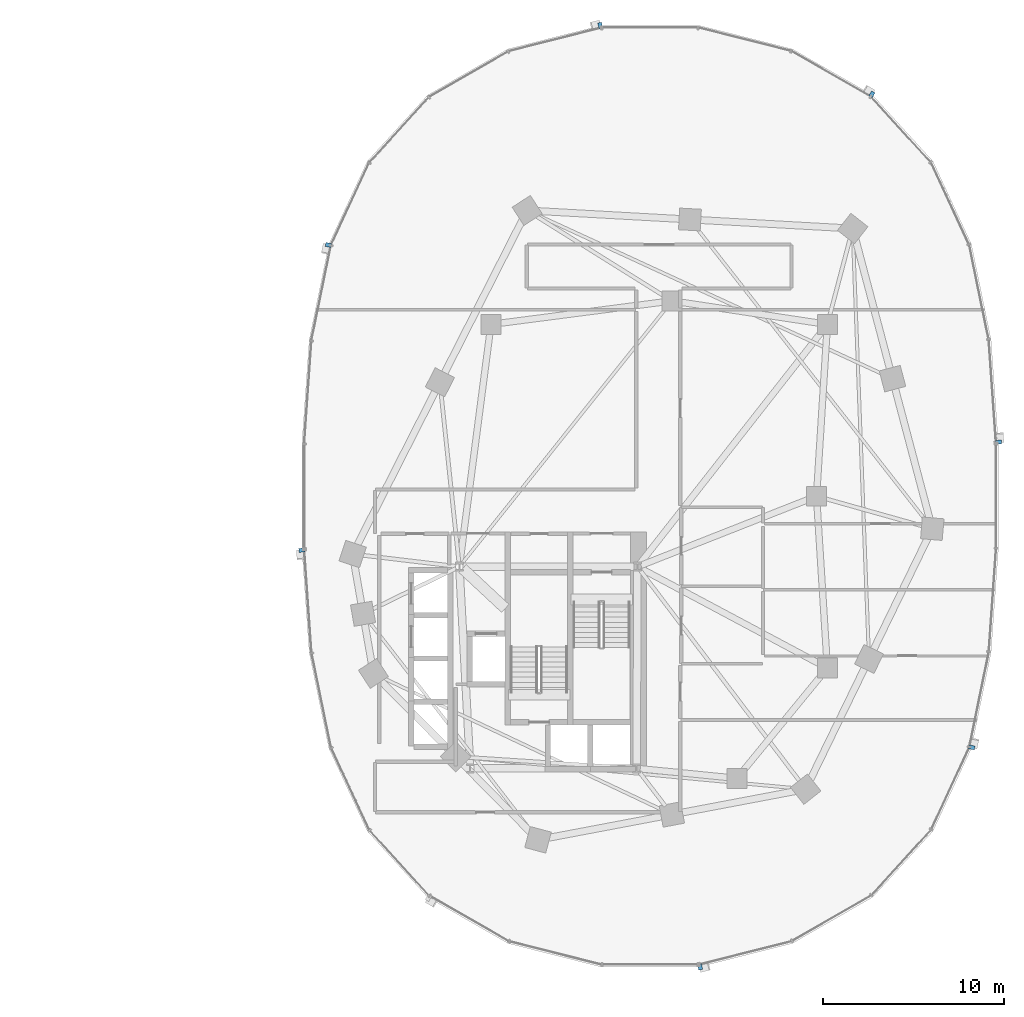
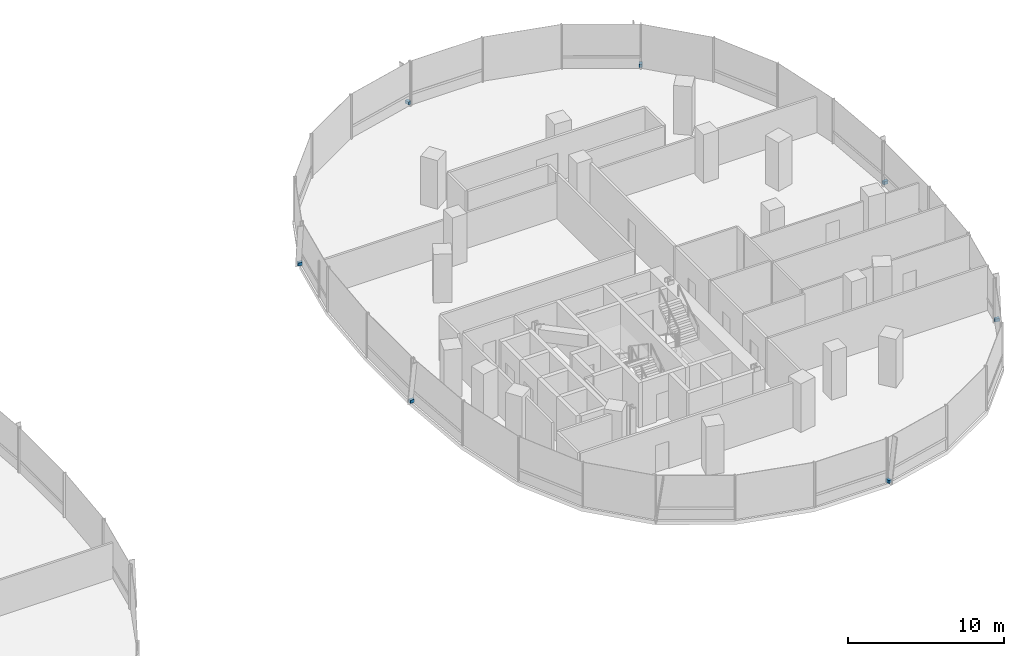
# One storey, part 16 of 21: 7 discrete accessories.
"""IFC4 building model written with IfcOpenShell, lengths in metres."""

from ifc_helpers import new_model, si_unit, direction, frame, origin, origin_2d, place, context, subcontext, project, spatial, rectangle, extrude, material, type_object, element, save


model = new_model("IFC4")

# Units and contexts
model_context = context("Model", 3, precision=1e-05, world=origin(), true_north=direction((0.0, 1.0)))
body_context = subcontext(model_context, "Body", "Model", "MODEL_VIEW")
ifc_project = project(units=[si_unit("LENGTHUNIT", "METRE"), si_unit("AREAUNIT", "SQUARE_METRE"), si_unit("VOLUMEUNIT", "CUBIC_METRE"), si_unit("PLANEANGLEUNIT", "RADIAN"), si_unit("MASSUNIT", "GRAM", prefix="KILO"), si_unit("THERMODYNAMICTEMPERATUREUNIT", "KELVIN"), si_unit("POWERUNIT", "WATT")], contexts=[model_context])

# Site, building, storey
site_placement = place(None, origin())
site = spatial("IfcSite", under=ifc_project, at=site_placement, CompositionType="ELEMENT")
building_placement = place(site_placement, origin())
building = spatial("IfcBuilding", under=site, at=building_placement, Name="Cundina Bronze Exchange", CompositionType="ELEMENT")
storey_placement = place(building_placement, frame((0.0, 0.0, 50.60009765625)))
storey = spatial("IfcBuildingStorey", under=building, at=storey_placement, Name="L12", CompositionType="ELEMENT", Elevation=50.60009765625)

# Discrete accessories
ifc_material = material(Name="Anodised Bronze Aluminium 6063-T6", Category="aluminium")
discrete_accessory_type = type_object("IfcDiscreteAccessoryType", Name="ACC-BRK-FIN", PredefinedType="BRACKET", material=ifc_material)
for number, where, z_axis, x_axis, name in (
    (1, (51.264404296875, 2.986083984375, 0.10009765625), (0.0, 0.0, 1.0), (-0.070278787473, 0.997527389113, 0.0), "L12 Fin Support Bracket 1"),
    (2, (44.259521484375, 22.21875, 0.10009765625), (0.0, 0.0, 1.0), (-0.867105478933, 0.498124571171, 0.0), "L12 Fin Support Bracket 5"),
    (3, (29.23974609375, 26.03173828125, 0.10009765625), (0.0, 0.0, 1.0), (-0.969488149345, -0.245138182011, 0.0), "L12 Fin Support Bracket 1"),
    (4, (14.211669921875, 13.8896484375, 0.10009765625), (0.0, 0.0, 1.0), (-0.201419845156, -0.979505000486, 0.0), "L12 Fin Support Bracket 5"),
    (5, (12.735595703125, -2.986083984375, 0.10009765625), (0.0, 0.0, 1.0), (0.070278787473, -0.997527389113, 0.0), "L12 Fin Support Bracket 1"),
    (6, (34.76025390625, -26.03173828125, 0.10009765625), (0.0, 0.0, 1.0), (0.969488149345, 0.245138182011, 0.0), "L12 Fin Support Bracket 1"),
    (7, (49.788330078125, -13.8896484375, 0.10009765625), (0.0, 0.0, 1.0), (0.201419845156, 0.979505000486, 0.0), "L12 Fin Support Bracket 5"),
):
    element("IfcDiscreteAccessory", number, at=place(storey_placement, frame(where, z_axis=z_axis, x_axis=x_axis)), inside=storey, type_object=discrete_accessory_type, Name=name, PredefinedType="BRACKET", context=body_context, shape_type="SweptSolid", body=[
        extrude(rectangle(XDim=0.219970703125, YDim=0.320068359375, at=origin_2d()), origin(), (0.0, 0.0, 1.0), 0.239990234375),
    ])

save(model, "model.ifc")
